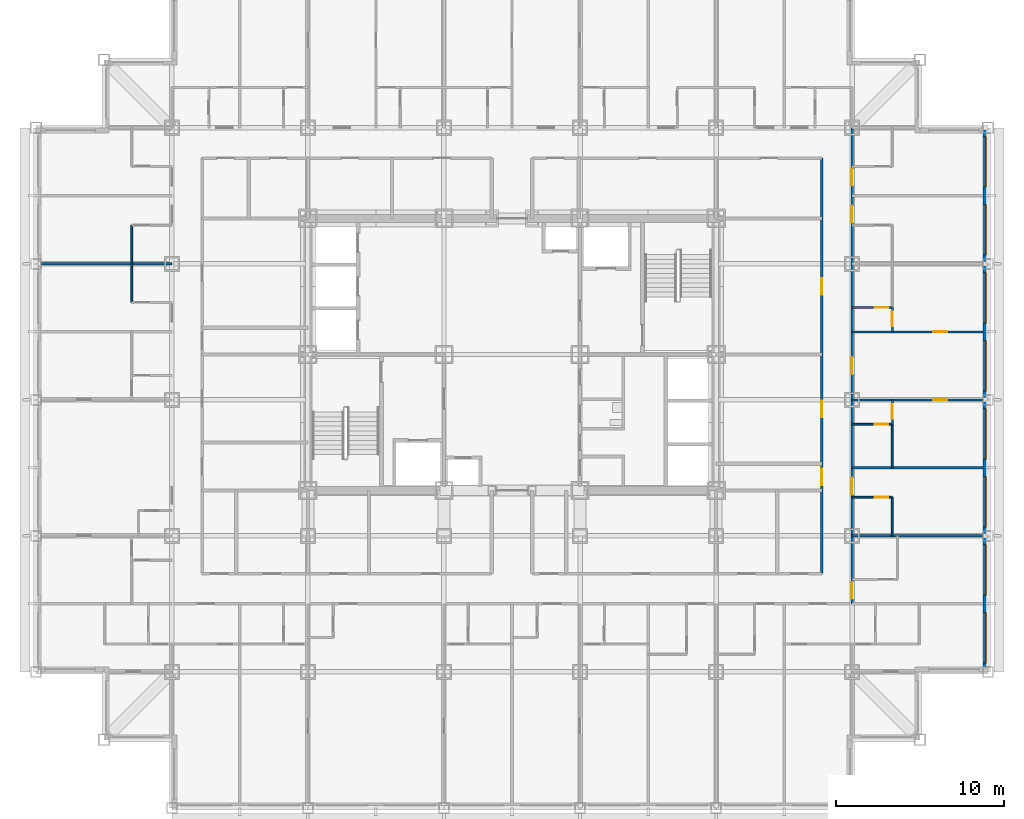
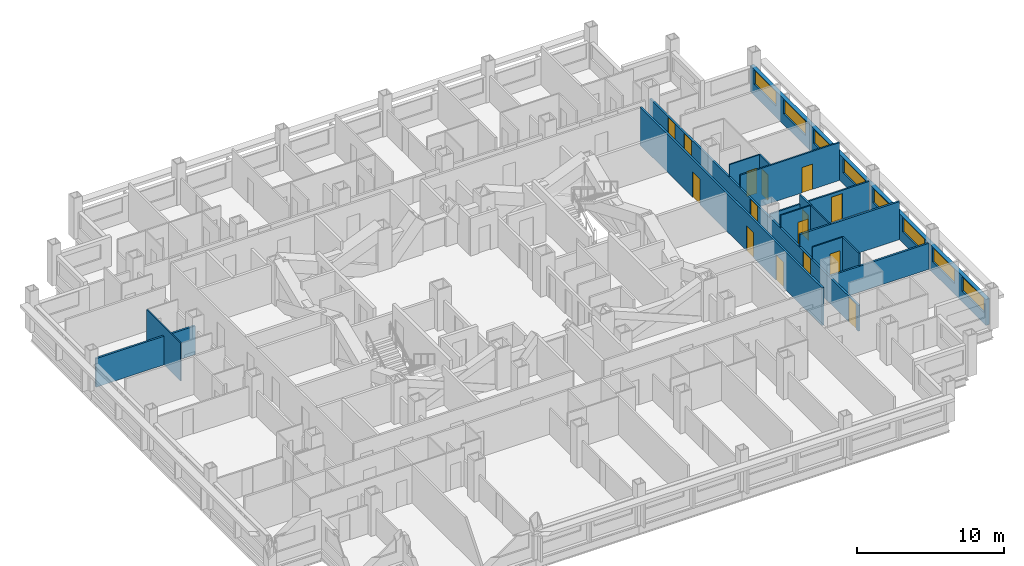
# One storey, part 9 of 15: 16 walls, 15 doors, 8 windows, 23 openings.
"""IFC4 building model written with IfcOpenShell, lengths in metres."""

from ifc_helpers import new_model, si_unit, direction, frame, frame_2d, origin, place, context, subcontext, project, spatial, rectangle, extrude, material, layer, layer_set, type_object, element, fill, save


model = new_model("IFC4")

# Units and contexts
model_context = context("Model", 3, precision=1e-05, world=origin(), true_north=direction((0.0, 1.0)))
body_context = subcontext(model_context, "Body", "Model", "MODEL_VIEW")
ifc_project = project(units=[si_unit("LENGTHUNIT", "METRE"), si_unit("AREAUNIT", "SQUARE_METRE"), si_unit("VOLUMEUNIT", "CUBIC_METRE"), si_unit("PLANEANGLEUNIT", "RADIAN"), si_unit("MASSUNIT", "GRAM", prefix="KILO")], contexts=[model_context])

# Site, building, storey
site_placement = place(None, origin())
site = spatial("IfcSite", under=ifc_project, at=site_placement, CompositionType="ELEMENT")
building_placement = place(site_placement, origin())
building = spatial("IfcBuilding", under=site, at=building_placement, Name="Kopane Lantern Tower", CompositionType="ELEMENT")
storey_placement = place(building_placement, frame((0.0, 0.0, 154.39990234375)))
storey = spatial("IfcBuildingStorey", under=building, at=storey_placement, Name="L40", CompositionType="ELEMENT", Elevation=154.39990234375)

# Wall, opening, door
ifc_material_1 = material(Name="Gypsum board on steel studs", Category="steel")
ifc_layer_1 = layer(ifc_material_1, 0.1201171875)
ifc_layer_set_1 = layer_set([ifc_layer_1], Name="APARTMENT INTERNAL WALL 120")
wall_type_1 = type_object("IfcWallType", Name="APARTMENT INTERNAL WALL 120", PredefinedType="PARTITIONING", material=ifc_layer_set_1)
wall_1_placement = place(storey_placement, frame((48.60009765625, 29.699951171875, 0.0), z_axis=(0.0, 0.0, 1.0), x_axis=(1.0, 0.0, 0.0)))
wall_1 = element("IfcWall", 1, at=wall_1_placement, inside=storey, type_object=wall_type_1, Name="Apartment Internal Wall 120 L40", PredefinedType="PARTITIONING", context=body_context, shape_type="SweptSolid", body=[
    extrude(rectangle(XDim=7.7998046875, YDim=0.1201171875, at=frame_2d((3.89990234375, 0.0))), origin(), (0.0, 0.0, 1.0), 2.38037109375),
])
opening_1_placement = place(wall_1_placement, frame((4.824951171875, 0.0, 0.0)))
opening_1 = element("IfcOpeningElement", 2, at=opening_1_placement, cuts=wall_1, Name="Opening L40-069", PredefinedType="OPENING", context=body_context, shape_type="SweptSolid", body=[
    extrude(rectangle(XDim=0.85009765625, YDim=2.10009765625, at=frame_2d((0.425048828125, 1.050048828125))), frame((0.0, 0.070068359375, 0.0), z_axis=(0.0, -1.0, 0.0), x_axis=(1.0, 0.0, 0.0)), (0.0, 0.0, 1.0), 0.14013671875),
])
ifc_material_2 = material(Name="Timber door set", Category="wood")
door_type_1 = type_object("IfcDoorType", Name="DOOR D4 850x2100", OperationType="SINGLE_SWING_LEFT", PredefinedType="DOOR", material=ifc_material_2)
door_1_placement = place(opening_1_placement, origin())
door_1 = element("IfcDoor", 3, at=door_1_placement, inside=storey, type_object=door_type_1, Name="Door L40-069", OperationType="SINGLE_SWING_RIGHT", OverallHeight=2.10009765625, OverallWidth=0.85009765625, PredefinedType="DOOR", context=body_context, shape_type="SweptSolid", body=[
    extrude(rectangle(XDim=0.85009765625, YDim=2.10009765625, at=frame_2d((0.425048828125, 1.050048828125))), frame((0.0, 0.02490234375, 0.0), z_axis=(0.0, -1.0, 0.0), x_axis=(1.0, 0.0, 0.0)), (0.0, 0.0, 1.0), 0.050048828125),
])
fill(opening_1, door_1)

wall_2_placement = place(storey_placement, frame((48.60009765625, 33.75, 0.0), z_axis=(0.0, 0.0, 1.0), x_axis=(1.0, 0.0, 0.0)))
wall_2 = element("IfcWall", 4, at=wall_2_placement, inside=storey, type_object=wall_type_1, Name="Apartment Internal Wall 120 L40", PredefinedType="PARTITIONING", context=body_context, shape_type="SweptSolid", body=[
    extrude(rectangle(XDim=7.7998046875, YDim=0.1201171875, at=frame_2d((3.89990234375, 0.0))), origin(), (0.0, 0.0, 1.0), 3.150146484375),
])
opening_2_placement = place(wall_2_placement, frame((4.824951171875, 0.0, 0.0)))
opening_2 = element("IfcOpeningElement", 5, at=opening_2_placement, cuts=wall_2, Name="Opening L40-071", PredefinedType="OPENING", context=body_context, shape_type="SweptSolid", body=[
    extrude(rectangle(XDim=0.85009765625, YDim=2.10009765625, at=frame_2d((0.425048828125, 1.050048828125))), frame((0.0, 0.070068359375, 0.0), z_axis=(0.0, -1.0, 0.0), x_axis=(1.0, 0.0, 0.0)), (0.0, 0.0, 1.0), 0.14013671875),
])
door_2_placement = place(opening_2_placement, origin())
door_2 = element("IfcDoor", 6, at=door_2_placement, inside=storey, type_object=door_type_1, Name="Door L40-071", OperationType="SINGLE_SWING_LEFT", OverallHeight=2.10009765625, OverallWidth=0.85009765625, PredefinedType="DOOR", context=body_context, shape_type="SweptSolid", body=[
    extrude(rectangle(XDim=0.85009765625, YDim=2.10009765625, at=frame_2d((0.425048828125, 1.050048828125))), frame((0.0, 0.02490234375, 0.0), z_axis=(0.0, -1.0, 0.0), x_axis=(1.0, 0.0, 0.0)), (0.0, 0.0, 1.0), 0.050048828125),
])
fill(opening_2, door_2)

wall_3_placement = place(storey_placement, frame((51.0, 29.699951171875, 0.0), z_axis=(0.0, 0.0, 1.0), x_axis=(0.0, -1.0, 0.0)))
wall_3 = element("IfcWall", 7, at=wall_3_placement, inside=storey, type_object=wall_type_1, Name="Apartment Internal Wall 120 L40", PredefinedType="PARTITIONING", context=body_context, shape_type="SweptSolid", body=[
    extrude(rectangle(XDim=1.4599609375, YDim=0.1201171875, at=frame_2d((0.72998046875, 0.0))), origin(), (0.0, 0.0, 1.0), 3.150146484375),
])
opening_3_placement = place(wall_3_placement, frame((0.27490234375, 0.0, 0.0)))
opening_3 = element("IfcOpeningElement", 8, at=opening_3_placement, cuts=wall_3, Name="Opening L40-101", PredefinedType="OPENING", context=body_context, shape_type="SweptSolid", body=[
    extrude(rectangle(XDim=0.85009765625, YDim=2.10009765625, at=frame_2d((0.425048828125, 1.050048828125))), frame((0.0, 0.070068359375, 0.0), z_axis=(0.0, -1.0, 0.0), x_axis=(1.0, 0.0, 0.0)), (0.0, 0.0, 1.0), 0.14013671875),
])
door_3_placement = place(opening_3_placement, origin())
door_3 = element("IfcDoor", 9, at=door_3_placement, inside=storey, type_object=door_type_1, Name="Door L40-101", OperationType="SINGLE_SWING_LEFT", OverallHeight=2.10009765625, OverallWidth=0.85009765625, PredefinedType="DOOR", context=body_context, shape_type="SweptSolid", body=[
    extrude(rectangle(XDim=0.85009765625, YDim=2.10009765625, at=frame_2d((0.425048828125, 1.050048828125))), frame((0.0, 0.02490234375, 0.0), z_axis=(0.0, -1.0, 0.0), x_axis=(1.0, 0.0, 0.0)), (0.0, 0.0, 1.0), 0.050048828125),
])
fill(opening_3, door_3)

wall_4_placement = place(storey_placement, frame((51.0, 35.2099609375, 0.0), z_axis=(0.0, 0.0, 1.0), x_axis=(0.0, -1.0, 0.0)))
wall_4 = element("IfcWall", 10, at=wall_4_placement, inside=storey, type_object=wall_type_1, Name="Apartment Internal Wall 120 L40", PredefinedType="PARTITIONING", context=body_context, shape_type="SweptSolid", body=[
    extrude(rectangle(XDim=1.4599609375, YDim=0.1201171875, at=frame_2d((0.72998046875, 0.0))), origin(), (0.0, 0.0, 1.0), 3.150146484375),
])
opening_4_placement = place(wall_4_placement, frame((0.27490234375, 0.0, 0.0)))
opening_4 = element("IfcOpeningElement", 11, at=opening_4_placement, cuts=wall_4, Name="Opening L40-102", PredefinedType="OPENING", context=body_context, shape_type="SweptSolid", body=[
    extrude(rectangle(XDim=0.85009765625, YDim=2.10009765625, at=frame_2d((0.425048828125, 1.050048828125))), frame((0.0, 0.070068359375, 0.0), z_axis=(0.0, -1.0, 0.0), x_axis=(1.0, 0.0, 0.0)), (0.0, 0.0, 1.0), 0.14013671875),
])
door_4_placement = place(opening_4_placement, origin())
door_4 = element("IfcDoor", 12, at=door_4_placement, inside=storey, type_object=door_type_1, Name="Door L40-102", OperationType="SINGLE_SWING_RIGHT", OverallHeight=2.10009765625, OverallWidth=0.85009765625, PredefinedType="DOOR", context=body_context, shape_type="SweptSolid", body=[
    extrude(rectangle(XDim=0.85009765625, YDim=2.10009765625, at=frame_2d((0.425048828125, 1.050048828125))), frame((0.0, 0.02490234375, 0.0), z_axis=(0.0, -1.0, 0.0), x_axis=(1.0, 0.0, 0.0)), (0.0, 0.0, 1.0), 0.050048828125),
])
fill(opening_4, door_4)

# Walls
ifc_material_3 = material(Name="Moisture-resistant board on steel studs", Category="steel")
ifc_layer_2 = layer(ifc_material_3, 0.10009765625)
ifc_layer_set_2 = layer_set([ifc_layer_2], Name="BATHROOM WALL 100")
wall_type_2 = type_object("IfcWallType", Name="BATHROOM WALL 100", PredefinedType="PARTITIONING", material=ifc_layer_set_2)
wall_5_placement = place(storey_placement, frame((5.699951171875, 35.5, 0.0), z_axis=(0.0, 0.0, 1.0), x_axis=(0.0, 1.0, 0.0)))
element("IfcWall", 13, at=wall_5_placement, inside=storey, type_object=wall_type_2, Name="Bathroom Wall 100 L40", PredefinedType="PARTITIONING", context=body_context, shape_type="SweptSolid", body=[
    extrude(rectangle(XDim=4.60009765625, YDim=0.10009765625, at=frame_2d((2.300048828125, 0.0))), origin(), (0.0, 0.0, 1.0), 3.150146484375),
])
wall_6_placement = place(storey_placement, frame((51.0, 21.60009765625, 0.0), z_axis=(0.0, 0.0, 1.0), x_axis=(0.0, 1.0, 0.0)))
element("IfcWall", 14, at=wall_6_placement, inside=storey, type_object=wall_type_2, Name="Bathroom Wall 100 L40", PredefinedType="PARTITIONING", context=body_context, shape_type="SweptSolid", body=[
    extrude(rectangle(XDim=2.2998046875, YDim=0.10009765625, at=frame_2d((1.14990234375, 0.0))), origin(), (0.0, 0.0, 1.0), 3.150146484375),
])

# Wall, opening, door
wall_7_placement = place(storey_placement, frame((48.60009765625, 23.89990234375, 0.0), z_axis=(0.0, 0.0, 1.0), x_axis=(1.0, 0.0, 0.0)))
wall_7 = element("IfcWall", 15, at=wall_7_placement, inside=storey, type_object=wall_type_2, Name="Bathroom Wall 100 L40", PredefinedType="PARTITIONING", context=body_context, shape_type="SweptSolid", body=[
    extrude(rectangle(XDim=2.39990234375, YDim=0.10009765625, at=frame_2d((1.199951171875, 0.0))), origin(), (0.0, 0.0, 1.0), 3.150146484375),
])
opening_5_placement = place(wall_7_placement, frame((1.35009765625, 0.0, 0.0)))
opening_5 = element("IfcOpeningElement", 16, at=opening_5_placement, cuts=wall_7, Name="Opening L40-065", PredefinedType="OPENING", context=body_context, shape_type="SweptSolid", body=[
    extrude(rectangle(XDim=0.800048828125, YDim=2.10009765625, at=frame_2d((0.39990234375, 1.050048828125))), frame((0.0, 0.06005859375, 0.0), z_axis=(0.0, -1.0, 0.0), x_axis=(1.0, 0.0, 0.0)), (0.0, 0.0, 1.0), 0.1201171875),
])
ifc_material_4 = material(Name="Timber door set", Category="wood")
door_type_2 = type_object("IfcDoorType", Name="DOOR D2 800x2100", OperationType="SINGLE_SWING_LEFT", PredefinedType="DOOR", material=ifc_material_4)
door_5_placement = place(opening_5_placement, origin())
door_5 = element("IfcDoor", 17, at=door_5_placement, inside=storey, type_object=door_type_2, Name="Door L40-065", OperationType="SINGLE_SWING_LEFT", OverallHeight=2.10009765625, OverallWidth=0.800048828125, PredefinedType="DOOR", context=body_context, shape_type="SweptSolid", body=[
    extrude(rectangle(XDim=0.800048828125, YDim=2.10009765625, at=frame_2d((0.39990234375, 1.050048828125))), frame((0.0, 0.02490234375, 0.0), z_axis=(0.0, -1.0, 0.0), x_axis=(1.0, 0.0, 0.0)), (0.0, 0.0, 1.0), 0.050048828125),
])
fill(opening_5, door_5)

# Wall
wall_8_placement = place(storey_placement, frame((51.0, 25.64990234375, 0.0), z_axis=(0.0, 0.0, 1.0), x_axis=(0.0, 1.0, 0.0)))
element("IfcWall", 18, at=wall_8_placement, inside=storey, type_object=wall_type_2, Name="Bathroom Wall 100 L40", PredefinedType="PARTITIONING", context=body_context, shape_type="SweptSolid", body=[
    extrude(rectangle(XDim=2.60009765625, YDim=0.10009765625, at=frame_2d((1.300048828125, 0.0))), origin(), (0.0, 0.0, 1.0), 3.150146484375),
])

# Wall, opening, door
wall_9_placement = place(storey_placement, frame((48.60009765625, 28.25, 0.0), z_axis=(0.0, 0.0, 1.0), x_axis=(1.0, 0.0, 0.0)))
wall_9 = element("IfcWall", 19, at=wall_9_placement, inside=storey, type_object=wall_type_2, Name="Bathroom Wall 100 L40", PredefinedType="PARTITIONING", context=body_context, shape_type="SweptSolid", body=[
    extrude(rectangle(XDim=2.39990234375, YDim=0.10009765625, at=frame_2d((1.199951171875, 0.0))), origin(), (0.0, 0.0, 1.0), 3.150146484375),
])
opening_6_placement = place(wall_9_placement, frame((1.35009765625, 0.0, 0.0)))
opening_6 = element("IfcOpeningElement", 20, at=opening_6_placement, cuts=wall_9, Name="Opening L40-068", PredefinedType="OPENING", context=body_context, shape_type="SweptSolid", body=[
    extrude(rectangle(XDim=0.800048828125, YDim=2.10009765625, at=frame_2d((0.39990234375, 1.050048828125))), frame((0.0, 0.06005859375, 0.0), z_axis=(0.0, -1.0, 0.0), x_axis=(1.0, 0.0, 0.0)), (0.0, 0.0, 1.0), 0.1201171875),
])
door_6_placement = place(opening_6_placement, origin())
door_6 = element("IfcDoor", 21, at=door_6_placement, inside=storey, type_object=door_type_2, Name="Door L40-068", OperationType="SINGLE_SWING_RIGHT", OverallHeight=2.10009765625, OverallWidth=0.800048828125, PredefinedType="DOOR", context=body_context, shape_type="SweptSolid", body=[
    extrude(rectangle(XDim=0.800048828125, YDim=2.10009765625, at=frame_2d((0.39990234375, 1.050048828125))), frame((0.0, 0.02490234375, 0.0), z_axis=(0.0, -1.0, 0.0), x_axis=(1.0, 0.0, 0.0)), (0.0, 0.0, 1.0), 0.050048828125),
])
fill(opening_6, door_6)

wall_10_placement = place(storey_placement, frame((48.60009765625, 35.199951171875, 0.0), z_axis=(0.0, 0.0, 1.0), x_axis=(1.0, 0.0, 0.0)))
wall_10 = element("IfcWall", 22, at=wall_10_placement, inside=storey, type_object=wall_type_2, Name="Bathroom Wall 100 L40", PredefinedType="PARTITIONING", context=body_context, shape_type="SweptSolid", body=[
    extrude(rectangle(XDim=2.39990234375, YDim=0.10009765625, at=frame_2d((1.199951171875, 0.0))), origin(), (0.0, 0.0, 1.0), 3.150146484375),
])
opening_7_placement = place(wall_10_placement, frame((1.35009765625, 0.0, 0.0)))
opening_7 = element("IfcOpeningElement", 23, at=opening_7_placement, cuts=wall_10, Name="Opening L40-070", PredefinedType="OPENING", context=body_context, shape_type="SweptSolid", body=[
    extrude(rectangle(XDim=0.800048828125, YDim=2.10009765625, at=frame_2d((0.39990234375, 1.050048828125))), frame((0.0, 0.06005859375, 0.0), z_axis=(0.0, -1.0, 0.0), x_axis=(1.0, 0.0, 0.0)), (0.0, 0.0, 1.0), 0.1201171875),
])
door_7_placement = place(opening_7_placement, origin())
door_7 = element("IfcDoor", 24, at=door_7_placement, inside=storey, type_object=door_type_2, Name="Door L40-070", OperationType="SINGLE_SWING_LEFT", OverallHeight=2.10009765625, OverallWidth=0.800048828125, PredefinedType="DOOR", context=body_context, shape_type="SweptSolid", body=[
    extrude(rectangle(XDim=0.800048828125, YDim=2.10009765625, at=frame_2d((0.39990234375, 1.050048828125))), frame((0.0, 0.02490234375, 0.0), z_axis=(0.0, -1.0, 0.0), x_axis=(1.0, 0.0, 0.0)), (0.0, 0.0, 1.0), 0.050048828125),
])
fill(opening_7, door_7)

# Wall, openings, doors
ifc_material_5 = material(Name="Gypsum board on steel studs", Category="steel")
ifc_layer_3 = layer(ifc_material_5, 0.14990234375)
ifc_layer_set_3 = layer_set([ifc_layer_3], Name="CORRIDOR WALL 150 EI 60")
wall_type_3 = type_object("IfcWallType", Name="CORRIDOR WALL 150 EI 60", PredefinedType="PARTITIONING", material=ifc_layer_set_3)
wall_11_placement = place(storey_placement, frame((48.60009765625, 17.550048828125, 0.0), z_axis=(0.0, 0.0, 1.0), x_axis=(0.0, 1.0, 0.0)))
wall_11 = element("IfcWall", 25, at=wall_11_placement, inside=storey, type_object=wall_type_3, Name="Corridor Wall 150 Ei 60 L40", PredefinedType="PARTITIONING", context=body_context, shape_type="SweptSolid", body=[
    extrude(rectangle(XDim=28.349853515625, YDim=0.14990234375, at=frame_2d((14.1748046875, 0.0))), origin(), (0.0, 0.0, 1.0), 2.150146484375),
])
opening_8_placement = place(wall_11_placement, frame((0.300048828125, 0.0, 0.0)))
opening_8 = element("IfcOpeningElement", 26, at=opening_8_placement, cuts=wall_11, Name="Opening L40-064", PredefinedType="OPENING", context=body_context, shape_type="SweptSolid", body=[
    extrude(rectangle(XDim=1.0, YDim=2.10009765625, at=frame_2d((0.5, 1.050048828125))), frame((0.0, 0.0849609375, 0.0), z_axis=(0.0, -1.0, 0.0), x_axis=(1.0, 0.0, 0.0)), (0.0, 0.0, 1.0), 0.169921875),
])
opening_9_placement = place(wall_11_placement, frame((6.5, 0.0, 0.0)))
opening_9 = element("IfcOpeningElement", 27, at=opening_9_placement, cuts=wall_11, Name="Opening L40-066", PredefinedType="OPENING", context=body_context, shape_type="SweptSolid", body=[
    extrude(rectangle(XDim=1.0, YDim=2.10009765625, at=frame_2d((0.5, 1.050048828125))), frame((0.0, 0.0849609375, 0.0), z_axis=(0.0, -1.0, 0.0), x_axis=(1.0, 0.0, 0.0)), (0.0, 0.0, 1.0), 0.169921875),
])
opening_10_placement = place(wall_11_placement, frame((13.675048828125, 0.0, 0.0)))
opening_10 = element("IfcOpeningElement", 28, at=opening_10_placement, cuts=wall_11, Name="Opening L40-067", PredefinedType="OPENING", context=body_context, shape_type="SweptSolid", body=[
    extrude(rectangle(XDim=1.0, YDim=2.10009765625, at=frame_2d((0.5, 1.050048828125))), frame((0.0, 0.0849609375, 0.0), z_axis=(0.0, -1.0, 0.0), x_axis=(1.0, 0.0, 0.0)), (0.0, 0.0, 1.0), 0.169921875),
])
opening_11_placement = place(wall_11_placement, frame((22.699951171875, 0.0, 0.0)))
opening_11 = element("IfcOpeningElement", 29, at=opening_11_placement, cuts=wall_11, Name="Opening L40-073", PredefinedType="OPENING", context=body_context, shape_type="SweptSolid", body=[
    extrude(rectangle(XDim=1.0, YDim=2.10009765625, at=frame_2d((0.5, 1.050048828125))), frame((0.0, 0.0849609375, 0.0), z_axis=(0.0, -1.0, 0.0), x_axis=(1.0, 0.0, 0.0)), (0.0, 0.0, 1.0), 0.169921875),
])
opening_12_placement = place(wall_11_placement, frame((24.89990234375, 0.0, 0.0)))
opening_12 = element("IfcOpeningElement", 30, at=opening_12_placement, cuts=wall_11, Name="Opening L40-075", PredefinedType="OPENING", context=body_context, shape_type="SweptSolid", body=[
    extrude(rectangle(XDim=1.0, YDim=2.10009765625, at=frame_2d((0.5, 1.050048828125))), frame((0.0, 0.0849609375, 0.0), z_axis=(0.0, -1.0, 0.0), x_axis=(1.0, 0.0, 0.0)), (0.0, 0.0, 1.0), 0.169921875),
])
ifc_material_6 = material(Name="Steel door set", Category="steel")
door_type_3 = type_object("IfcDoorType", Name="DOOR D1 1000x2100 FD30S", OperationType="SINGLE_SWING_LEFT", PredefinedType="DOOR", material=ifc_material_6)
door_8_placement = place(opening_8_placement, origin())
door_8 = element("IfcDoor", 31, at=door_8_placement, inside=storey, type_object=door_type_3, Name="Door L40-064", OperationType="SINGLE_SWING_LEFT", OverallHeight=2.10009765625, OverallWidth=1.0, PredefinedType="DOOR", context=body_context, shape_type="SweptSolid", body=[
    extrude(rectangle(XDim=1.0, YDim=2.10009765625, at=frame_2d((0.5, 1.050048828125))), frame((0.0, 0.02490234375, 0.0), z_axis=(0.0, -1.0, 0.0), x_axis=(1.0, 0.0, 0.0)), (0.0, 0.0, 1.0), 0.050048828125),
])
fill(opening_8, door_8)
door_9_placement = place(opening_9_placement, origin())
door_9 = element("IfcDoor", 32, at=door_9_placement, inside=storey, type_object=door_type_3, Name="Door L40-066", OperationType="SINGLE_SWING_RIGHT", OverallHeight=2.10009765625, OverallWidth=1.0, PredefinedType="DOOR", context=body_context, shape_type="SweptSolid", body=[
    extrude(rectangle(XDim=1.0, YDim=2.10009765625, at=frame_2d((0.5, 1.050048828125))), frame((0.0, 0.02490234375, 0.0), z_axis=(0.0, -1.0, 0.0), x_axis=(1.0, 0.0, 0.0)), (0.0, 0.0, 1.0), 0.050048828125),
])
fill(opening_9, door_9)
door_10_placement = place(opening_10_placement, origin())
door_10 = element("IfcDoor", 33, at=door_10_placement, inside=storey, type_object=door_type_3, Name="Door L40-067", OperationType="SINGLE_SWING_RIGHT", OverallHeight=2.10009765625, OverallWidth=1.0, PredefinedType="DOOR", context=body_context, shape_type="SweptSolid", body=[
    extrude(rectangle(XDim=1.0, YDim=2.10009765625, at=frame_2d((0.5, 1.050048828125))), frame((0.0, 0.02490234375, 0.0), z_axis=(0.0, -1.0, 0.0), x_axis=(1.0, 0.0, 0.0)), (0.0, 0.0, 1.0), 0.050048828125),
])
fill(opening_10, door_10)
door_11_placement = place(opening_11_placement, origin())
door_11 = element("IfcDoor", 34, at=door_11_placement, inside=storey, type_object=door_type_3, Name="Door L40-073", OperationType="SINGLE_SWING_RIGHT", OverallHeight=2.10009765625, OverallWidth=1.0, PredefinedType="DOOR", context=body_context, shape_type="SweptSolid", body=[
    extrude(rectangle(XDim=1.0, YDim=2.10009765625, at=frame_2d((0.5, 1.050048828125))), frame((0.0, 0.02490234375, 0.0), z_axis=(0.0, -1.0, 0.0), x_axis=(1.0, 0.0, 0.0)), (0.0, 0.0, 1.0), 0.050048828125),
])
fill(opening_11, door_11)
door_12_placement = place(opening_12_placement, origin())
door_12 = element("IfcDoor", 35, at=door_12_placement, inside=storey, type_object=door_type_3, Name="Door L40-075", OperationType="SINGLE_SWING_LEFT", OverallHeight=2.10009765625, OverallWidth=1.0, PredefinedType="DOOR", context=body_context, shape_type="SweptSolid", body=[
    extrude(rectangle(XDim=1.0, YDim=2.10009765625, at=frame_2d((0.5, 1.050048828125))), frame((0.0, 0.02490234375, 0.0), z_axis=(0.0, -1.0, 0.0), x_axis=(1.0, 0.0, 0.0)), (0.0, 0.0, 1.0), 0.050048828125),
])
fill(opening_12, door_12)

wall_12_placement = place(storey_placement, frame((46.800048828125, 19.35009765625, 0.0), z_axis=(0.0, 0.0, 1.0), x_axis=(0.0, 1.0, 0.0)))
wall_12 = element("IfcWall", 36, at=wall_12_placement, inside=storey, type_object=wall_type_3, Name="Corridor Wall 150 Ei 60 L40", PredefinedType="PARTITIONING", context=body_context, shape_type="SweptSolid", body=[
    extrude(rectangle(XDim=24.75, YDim=0.14990234375, at=frame_2d((12.375, 0.0))), origin(), (0.0, 0.0, 1.0), 3.150146484375),
])
opening_13_placement = place(wall_12_placement, frame((5.25, 0.0, 0.0)))
opening_13 = element("IfcOpeningElement", 37, at=opening_13_placement, cuts=wall_12, Name="Opening L40-005", PredefinedType="OPENING", context=body_context, shape_type="SweptSolid", body=[
    extrude(rectangle(XDim=1.0, YDim=2.10009765625, at=frame_2d((0.5, 1.050048828125))), frame((0.0, 0.0849609375, 0.0), z_axis=(0.0, -1.0, 0.0), x_axis=(1.0, 0.0, 0.0)), (0.0, 0.0, 1.0), 0.169921875),
])
opening_14_placement = place(wall_12_placement, frame((9.300048828125, 0.0, 0.0)))
opening_14 = element("IfcOpeningElement", 38, at=opening_14_placement, cuts=wall_12, Name="Opening L40-006", PredefinedType="OPENING", context=body_context, shape_type="SweptSolid", body=[
    extrude(rectangle(XDim=1.0, YDim=2.10009765625, at=frame_2d((0.5, 1.050048828125))), frame((0.0, 0.0849609375, 0.0), z_axis=(0.0, -1.0, 0.0), x_axis=(1.0, 0.0, 0.0)), (0.0, 0.0, 1.0), 0.169921875),
])
opening_15_placement = place(wall_12_placement, frame((16.60009765625, 0.0, 0.0)))
opening_15 = element("IfcOpeningElement", 39, at=opening_15_placement, cuts=wall_12, Name="Opening L40-007", PredefinedType="OPENING", context=body_context, shape_type="SweptSolid", body=[
    extrude(rectangle(XDim=1.0, YDim=2.10009765625, at=frame_2d((0.5, 1.050048828125))), frame((0.0, 0.0849609375, 0.0), z_axis=(0.0, -1.0, 0.0), x_axis=(1.0, 0.0, 0.0)), (0.0, 0.0, 1.0), 0.169921875),
])
ifc_material_7 = material(Name="Steel door set", Category="steel")
door_type_4 = type_object("IfcDoorType", Name="DOOR D5 1000x2100 FD60", OperationType="SINGLE_SWING_LEFT", PredefinedType="DOOR", material=ifc_material_7)
door_13_placement = place(opening_13_placement, origin())
door_13 = element("IfcDoor", 40, at=door_13_placement, inside=storey, type_object=door_type_4, Name="Door L40-005", OperationType="SINGLE_SWING_LEFT", OverallHeight=2.10009765625, OverallWidth=1.0, PredefinedType="DOOR", context=body_context, shape_type="SweptSolid", body=[
    extrude(rectangle(XDim=1.0, YDim=2.10009765625, at=frame_2d((0.5, 1.050048828125))), frame((0.0, 0.02490234375, 0.0), z_axis=(0.0, -1.0, 0.0), x_axis=(1.0, 0.0, 0.0)), (0.0, 0.0, 1.0), 0.050048828125),
])
fill(opening_13, door_13)
door_14_placement = place(opening_14_placement, origin())
door_14 = element("IfcDoor", 41, at=door_14_placement, inside=storey, type_object=door_type_4, Name="Door L40-006", OperationType="SINGLE_SWING_RIGHT", OverallHeight=2.10009765625, OverallWidth=1.0, PredefinedType="DOOR", context=body_context, shape_type="SweptSolid", body=[
    extrude(rectangle(XDim=1.0, YDim=2.10009765625, at=frame_2d((0.5, 1.050048828125))), frame((0.0, 0.02490234375, 0.0), z_axis=(0.0, -1.0, 0.0), x_axis=(1.0, 0.0, 0.0)), (0.0, 0.0, 1.0), 0.050048828125),
])
fill(opening_14, door_14)
door_15_placement = place(opening_15_placement, origin())
door_15 = element("IfcDoor", 42, at=door_15_placement, inside=storey, type_object=door_type_4, Name="Door L40-007", OperationType="SINGLE_SWING_LEFT", OverallHeight=2.10009765625, OverallWidth=1.0, PredefinedType="DOOR", context=body_context, shape_type="SweptSolid", body=[
    extrude(rectangle(XDim=1.0, YDim=2.10009765625, at=frame_2d((0.5, 1.050048828125))), frame((0.0, 0.02490234375, 0.0), z_axis=(0.0, -1.0, 0.0), x_axis=(1.0, 0.0, 0.0)), (0.0, 0.0, 1.0), 0.050048828125),
])
fill(opening_15, door_15)

# Walls
ifc_material_8 = material(Name="Gypsum board on steel studs", Category="steel")
ifc_layer_4 = layer(ifc_material_8, 0.14990234375)
ifc_layer_set_4 = layer_set([ifc_layer_4], Name="DEMISING WALL 150 EI 60")
wall_type_4 = type_object("IfcWallType", Name="DEMISING WALL 150 EI 60", PredefinedType="PARTITIONING", material=ifc_layer_set_4)
wall_13_placement = place(storey_placement, frame((8.10009765625, 37.800048828125, 0.0), z_axis=(0.0, 0.0, 1.0), x_axis=(-1.0, 0.0, 0.0)))
element("IfcWall", 43, at=wall_13_placement, inside=storey, type_object=wall_type_4, Name="Demising Wall 150 Ei 60 L40", PredefinedType="PARTITIONING", context=body_context, shape_type="SweptSolid", body=[
    extrude(rectangle(XDim=7.800048828125, YDim=0.14990234375, at=frame_2d((3.89990234375, 0.0))), origin(), (0.0, 0.0, 1.0), 2.38037109375),
])
wall_14_placement = place(storey_placement, frame((48.60009765625, 21.60009765625, 0.0), z_axis=(0.0, 0.0, 1.0), x_axis=(1.0, 0.0, 0.0)))
element("IfcWall", 44, at=wall_14_placement, inside=storey, type_object=wall_type_4, Name="Demising Wall 150 Ei 60 L40", PredefinedType="PARTITIONING", context=body_context, shape_type="SweptSolid", body=[
    extrude(rectangle(XDim=7.7998046875, YDim=0.14990234375, at=frame_2d((3.89990234375, 0.0))), origin(), (0.0, 0.0, 1.0), 2.150146484375),
])
wall_15_placement = place(storey_placement, frame((48.60009765625, 25.64990234375, 0.0), z_axis=(0.0, 0.0, 1.0), x_axis=(1.0, 0.0, 0.0)))
element("IfcWall", 45, at=wall_15_placement, inside=storey, type_object=wall_type_4, Name="Demising Wall 150 Ei 60 L40", PredefinedType="PARTITIONING", context=body_context, shape_type="SweptSolid", body=[
    extrude(rectangle(XDim=7.7998046875, YDim=0.14990234375, at=frame_2d((3.89990234375, 0.0))), origin(), (0.0, 0.0, 1.0), 3.150146484375),
])

# Wall, openings, windows
ifc_material_9 = material(Name="Terracotta rainscreen on light steel framing", Category="masonry")
ifc_layer_5 = layer(ifc_material_9, 0.300048828125)
ifc_layer_set_5 = layer_set([ifc_layer_5], Name="EXTERNAL WALL EW1 300 TERRACOTTA")
wall_type_5 = type_object("IfcWallType", Name="EXTERNAL WALL EW1 300 TERRACOTTA", PredefinedType="SOLIDWALL", material=ifc_layer_set_5)
wall_16_placement = place(storey_placement, frame((56.550048828125, 13.800048828125, 0.0), z_axis=(0.0, 0.0, 1.0), x_axis=(0.0, 1.0, 0.0)))
wall_16 = element("IfcWall", 46, at=wall_16_placement, inside=storey, type_object=wall_type_5, Name="External wall E L40", PredefinedType="SOLIDWALL", context=body_context, shape_type="SweptSolid", body=[
    extrude(rectangle(XDim=32.099853515625, YDim=0.300048828125, at=frame_2d((16.0498046875, 0.0))), origin(), (0.0, 0.0, 1.0), 2.150146484375),
])
opening_16_placement = place(wall_16_placement, frame((0.22509765625, 0.0, 0.89990234375)))
opening_16 = element("IfcOpeningElement", 47, at=opening_16_placement, cuts=wall_16, Name="Opening WR300120", PredefinedType="OPENING", context=body_context, shape_type="SweptSolid", body=[
    extrude(rectangle(XDim=3.0, YDim=1.199951171875, at=frame_2d((1.5, 0.60009765625))), frame((0.0, 0.159912109375, 0.0), z_axis=(0.0, -1.0, 0.0), x_axis=(1.0, 0.0, 0.0)), (0.0, 0.0, 1.0), 0.320068359375),
])
opening_17_placement = place(wall_16_placement, frame((4.27490234375, 0.0, 0.89990234375)))
opening_17 = element("IfcOpeningElement", 48, at=opening_17_placement, cuts=wall_16, Name="Opening WR300120", PredefinedType="OPENING", context=body_context, shape_type="SweptSolid", body=[
    extrude(rectangle(XDim=3.0, YDim=1.199951171875, at=frame_2d((1.5, 0.60009765625))), frame((0.0, 0.159912109375, 0.0), z_axis=(0.0, -1.0, 0.0), x_axis=(1.0, 0.0, 0.0)), (0.0, 0.0, 1.0), 0.320068359375),
])
opening_18_placement = place(wall_16_placement, frame((8.324951171875, 0.0, 0.89990234375)))
opening_18 = element("IfcOpeningElement", 49, at=opening_18_placement, cuts=wall_16, Name="Opening WR300120", PredefinedType="OPENING", context=body_context, shape_type="SweptSolid", body=[
    extrude(rectangle(XDim=3.0, YDim=1.199951171875, at=frame_2d((1.5, 0.60009765625))), frame((0.0, 0.159912109375, 0.0), z_axis=(0.0, -1.0, 0.0), x_axis=(1.0, 0.0, 0.0)), (0.0, 0.0, 1.0), 0.320068359375),
])
opening_19_placement = place(wall_16_placement, frame((12.375, 0.0, 0.89990234375)))
opening_19 = element("IfcOpeningElement", 50, at=opening_19_placement, cuts=wall_16, Name="Opening WR300120", PredefinedType="OPENING", context=body_context, shape_type="SweptSolid", body=[
    extrude(rectangle(XDim=3.0, YDim=1.199951171875, at=frame_2d((1.5, 0.60009765625))), frame((0.0, 0.159912109375, 0.0), z_axis=(0.0, -1.0, 0.0), x_axis=(1.0, 0.0, 0.0)), (0.0, 0.0, 1.0), 0.320068359375),
])
opening_20_placement = place(wall_16_placement, frame((16.425048828125, 0.0, 0.89990234375)))
opening_20 = element("IfcOpeningElement", 51, at=opening_20_placement, cuts=wall_16, Name="Opening WR300120", PredefinedType="OPENING", context=body_context, shape_type="SweptSolid", body=[
    extrude(rectangle(XDim=3.0, YDim=1.199951171875, at=frame_2d((1.5, 0.60009765625))), frame((0.0, 0.159912109375, 0.0), z_axis=(0.0, -1.0, 0.0), x_axis=(1.0, 0.0, 0.0)), (0.0, 0.0, 1.0), 0.320068359375),
])
opening_21_placement = place(wall_16_placement, frame((20.47509765625, 0.0, 0.89990234375)))
opening_21 = element("IfcOpeningElement", 52, at=opening_21_placement, cuts=wall_16, Name="Opening WR300120", PredefinedType="OPENING", context=body_context, shape_type="SweptSolid", body=[
    extrude(rectangle(XDim=3.0, YDim=1.199951171875, at=frame_2d((1.5, 0.60009765625))), frame((0.0, 0.159912109375, 0.0), z_axis=(0.0, -1.0, 0.0), x_axis=(1.0, 0.0, 0.0)), (0.0, 0.0, 1.0), 0.320068359375),
])
opening_22_placement = place(wall_16_placement, frame((24.52490234375, 0.0, 0.89990234375)))
opening_22 = element("IfcOpeningElement", 53, at=opening_22_placement, cuts=wall_16, Name="Opening WR300120", PredefinedType="OPENING", context=body_context, shape_type="SweptSolid", body=[
    extrude(rectangle(XDim=3.0, YDim=1.199951171875, at=frame_2d((1.5, 0.60009765625))), frame((0.0, 0.159912109375, 0.0), z_axis=(0.0, -1.0, 0.0), x_axis=(1.0, 0.0, 0.0)), (0.0, 0.0, 1.0), 0.320068359375),
])
opening_23_placement = place(wall_16_placement, frame((28.574951171875, 0.0, 0.89990234375)))
opening_23 = element("IfcOpeningElement", 54, at=opening_23_placement, cuts=wall_16, Name="Opening WR300120", PredefinedType="OPENING", context=body_context, shape_type="SweptSolid", body=[
    extrude(rectangle(XDim=3.0, YDim=1.199951171875, at=frame_2d((1.5, 0.60009765625))), frame((0.0, 0.159912109375, 0.0), z_axis=(0.0, -1.0, 0.0), x_axis=(1.0, 0.0, 0.0)), (0.0, 0.0, 1.0), 0.320068359375),
])
ifc_material_10 = material(Name="Aluminium and clear glass", Category="aluminium")
window_type = type_object("IfcWindowType", Name="RIBBON WINDOW WR300120 3000x1200", PartitioningType="SINGLE_PANEL", PredefinedType="WINDOW", material=ifc_material_10)
window_1_placement = place(opening_16_placement, origin())
window_1 = element("IfcWindow", 55, at=window_1_placement, inside=storey, type_object=window_type, Name="Window E L40", OverallHeight=1.199951171875, OverallWidth=3.0, PartitioningType="SINGLE_PANEL", PredefinedType="WINDOW", context=body_context, shape_type="SweptSolid", body=[
    extrude(rectangle(XDim=3.0, YDim=1.199951171875, at=frame_2d((1.5, 0.60009765625))), frame((0.0, 0.030029296875, 0.0), z_axis=(0.0, -1.0, 0.0), x_axis=(1.0, 0.0, 0.0)), (0.0, 0.0, 1.0), 0.06005859375),
])
fill(opening_16, window_1)
window_2_placement = place(opening_17_placement, origin())
window_2 = element("IfcWindow", 56, at=window_2_placement, inside=storey, type_object=window_type, Name="Window E L40", OverallHeight=1.199951171875, OverallWidth=3.0, PartitioningType="SINGLE_PANEL", PredefinedType="WINDOW", context=body_context, shape_type="SweptSolid", body=[
    extrude(rectangle(XDim=3.0, YDim=1.199951171875, at=frame_2d((1.5, 0.60009765625))), frame((0.0, 0.030029296875, 0.0), z_axis=(0.0, -1.0, 0.0), x_axis=(1.0, 0.0, 0.0)), (0.0, 0.0, 1.0), 0.06005859375),
])
fill(opening_17, window_2)
window_3_placement = place(opening_18_placement, origin())
window_3 = element("IfcWindow", 57, at=window_3_placement, inside=storey, type_object=window_type, Name="Window E L40", OverallHeight=1.199951171875, OverallWidth=3.0, PartitioningType="SINGLE_PANEL", PredefinedType="WINDOW", context=body_context, shape_type="SweptSolid", body=[
    extrude(rectangle(XDim=3.0, YDim=1.199951171875, at=frame_2d((1.5, 0.60009765625))), frame((0.0, 0.030029296875, 0.0), z_axis=(0.0, -1.0, 0.0), x_axis=(1.0, 0.0, 0.0)), (0.0, 0.0, 1.0), 0.06005859375),
])
fill(opening_18, window_3)
window_4_placement = place(opening_19_placement, origin())
window_4 = element("IfcWindow", 58, at=window_4_placement, inside=storey, type_object=window_type, Name="Window E L40", OverallHeight=1.199951171875, OverallWidth=3.0, PartitioningType="SINGLE_PANEL", PredefinedType="WINDOW", context=body_context, shape_type="SweptSolid", body=[
    extrude(rectangle(XDim=3.0, YDim=1.199951171875, at=frame_2d((1.5, 0.60009765625))), frame((0.0, 0.030029296875, 0.0), z_axis=(0.0, -1.0, 0.0), x_axis=(1.0, 0.0, 0.0)), (0.0, 0.0, 1.0), 0.06005859375),
])
fill(opening_19, window_4)
window_5_placement = place(opening_20_placement, origin())
window_5 = element("IfcWindow", 59, at=window_5_placement, inside=storey, type_object=window_type, Name="Window E L40", OverallHeight=1.199951171875, OverallWidth=3.0, PartitioningType="SINGLE_PANEL", PredefinedType="WINDOW", context=body_context, shape_type="SweptSolid", body=[
    extrude(rectangle(XDim=3.0, YDim=1.199951171875, at=frame_2d((1.5, 0.60009765625))), frame((0.0, 0.030029296875, 0.0), z_axis=(0.0, -1.0, 0.0), x_axis=(1.0, 0.0, 0.0)), (0.0, 0.0, 1.0), 0.06005859375),
])
fill(opening_20, window_5)
window_6_placement = place(opening_21_placement, origin())
window_6 = element("IfcWindow", 60, at=window_6_placement, inside=storey, type_object=window_type, Name="Window E L40", OverallHeight=1.199951171875, OverallWidth=3.0, PartitioningType="SINGLE_PANEL", PredefinedType="WINDOW", context=body_context, shape_type="SweptSolid", body=[
    extrude(rectangle(XDim=3.0, YDim=1.199951171875, at=frame_2d((1.5, 0.60009765625))), frame((0.0, 0.030029296875, 0.0), z_axis=(0.0, -1.0, 0.0), x_axis=(1.0, 0.0, 0.0)), (0.0, 0.0, 1.0), 0.06005859375),
])
fill(opening_21, window_6)
window_7_placement = place(opening_22_placement, origin())
window_7 = element("IfcWindow", 61, at=window_7_placement, inside=storey, type_object=window_type, Name="Window E L40", OverallHeight=1.199951171875, OverallWidth=3.0, PartitioningType="SINGLE_PANEL", PredefinedType="WINDOW", context=body_context, shape_type="SweptSolid", body=[
    extrude(rectangle(XDim=3.0, YDim=1.199951171875, at=frame_2d((1.5, 0.60009765625))), frame((0.0, 0.030029296875, 0.0), z_axis=(0.0, -1.0, 0.0), x_axis=(1.0, 0.0, 0.0)), (0.0, 0.0, 1.0), 0.06005859375),
])
fill(opening_22, window_7)
window_8_placement = place(opening_23_placement, origin())
window_8 = element("IfcWindow", 62, at=window_8_placement, inside=storey, type_object=window_type, Name="Window E L40", OverallHeight=1.199951171875, OverallWidth=3.0, PartitioningType="SINGLE_PANEL", PredefinedType="WINDOW", context=body_context, shape_type="SweptSolid", body=[
    extrude(rectangle(XDim=3.0, YDim=1.199951171875, at=frame_2d((1.5, 0.60009765625))), frame((0.0, 0.030029296875, 0.0), z_axis=(0.0, -1.0, 0.0), x_axis=(1.0, 0.0, 0.0)), (0.0, 0.0, 1.0), 0.06005859375),
])
fill(opening_23, window_8)

save(model, "model.ifc")
